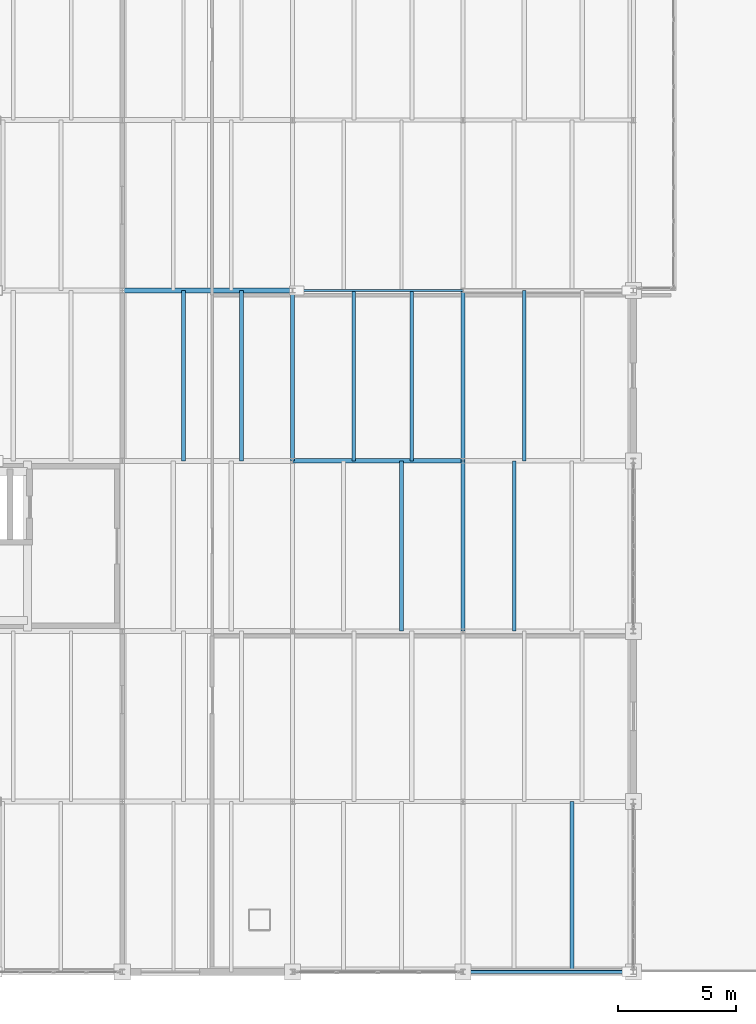
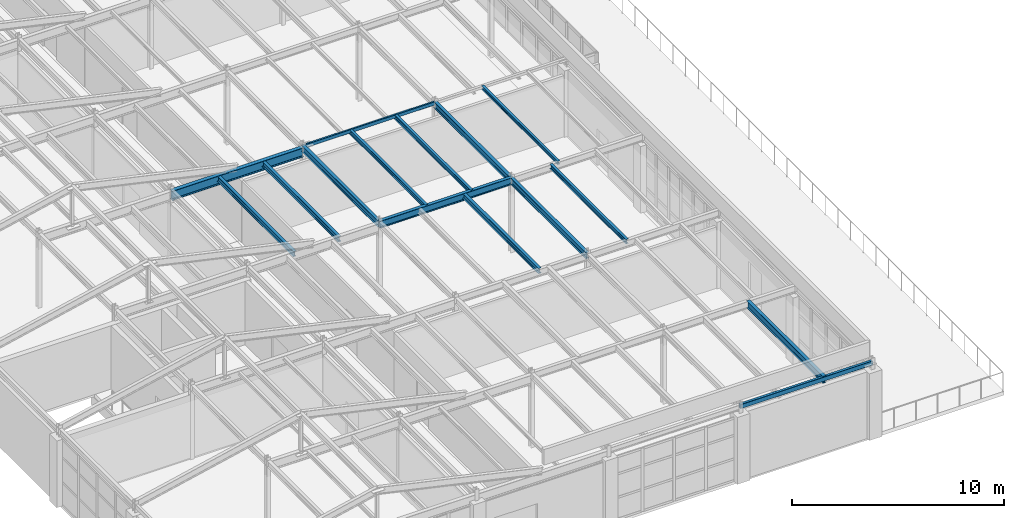
# One storey, part 19 of 43: 15 beams.
"""IFC4 building model written with IfcOpenShell, lengths in metres."""

import ifcopenshell
import ifcopenshell.guid

model = None  # the IFC model being written
_history = None  # IfcOwnerHistory: only IFC2X3 demands one
_inside = {}  # id of a spatial element -> (the spatial element, [elements in it])
_under = {}  # id of a project, library or spatial element -> (it, [spatial elements below it])
_declared = {}  # id of a project -> (the project, [libraries it declares])
_typed = {}  # id of a type object -> (the type object, [elements of that type])
_made_of = {}  # id of a material, layer set ... -> (it, [elements and type objects made of it])


def new_model(schema):
    """Start an empty IFC model of exactly this schema.

    Asked for "IFC4X3", IfcOpenShell would pick the latest addendum, in which some entities
    have other attributes; the version numbers below select the first issue.
    IFC2X3 requires an IfcOwnerHistory on every rooted entity: one is made here for all.
    """
    global model, _history
    if schema == "IFC4X3":
        model = ifcopenshell.file(schema_version=(4, 3, 0, 0))
    else:
        model = ifcopenshell.file(schema=schema)
    _inside.clear()
    _under.clear()
    _declared.clear()
    _typed.clear()
    _made_of.clear()
    _history = None
    if model.schema == "IFC2X3":
        org = make("IfcOrganization", Name="unknown")
        user = make(
            "IfcPersonAndOrganization",
            ThePerson=make("IfcPerson", FamilyName="unknown"),
            TheOrganization=org,
        )
        app = make(
            "IfcApplication",
            ApplicationDeveloper=org,
            Version="unknown",
            ApplicationFullName="unknown",
            ApplicationIdentifier="unknown",
        )
        _history = make(
            "IfcOwnerHistory",
            OwningUser=user,
            OwningApplication=app,
            ChangeAction="ADDED",
            CreationDate=0,
        )
    return model


def make(cls, **values):
    """One entity of the class cls with the attributes given. An attribute that is None is left unset."""
    return model.create_entity(
        cls, **{name: value for name, value in values.items() if value is not None}
    )


def rooted(cls, **values):
    """An entity with a GlobalId (a new one), such as an element, a storey or a relation."""
    return make(cls, GlobalId=ifcopenshell.guid.new(), OwnerHistory=_history, **values)


def si_unit(unit_type, name, prefix=None):
    """IfcSIUnit, for example si_unit("LENGTHUNIT", "METRE", prefix="MILLI")."""
    return make("IfcSIUnit", UnitType=unit_type, Prefix=prefix, Name=name)


def assignment(units):
    """IfcUnitAssignment: the units of a project."""
    return None if units is None else make("IfcUnitAssignment", Units=units)


def point(xyz):
    """IfcCartesianPoint."""
    return None if xyz is None else make("IfcCartesianPoint", Coordinates=xyz)


def direction(xyz):
    """IfcDirection."""
    return None if xyz is None else make("IfcDirection", DirectionRatios=xyz)


def frame(location, z_axis=None, x_axis=None):
    """IfcAxis2Placement3D, a coordinate frame: its origin and axes. An axis left out is left unset."""
    return make(
        "IfcAxis2Placement3D",
        Location=point(location),
        Axis=direction(z_axis),
        RefDirection=direction(x_axis),
    )


def frame_2d(location, x_axis=None):
    """IfcAxis2Placement2D, a coordinate frame in the plane: its origin and x axis."""
    return make(
        "IfcAxis2Placement2D", Location=point(location), RefDirection=direction(x_axis)
    )


def origin():
    """The frame at (0, 0, 0) with its axes left unset."""
    return frame((0.0, 0.0, 0.0))


def origin_2d():
    """The frame at (0, 0) in the plane with its x axis left unset."""
    return frame_2d((0.0, 0.0))


def place(relative_to, where):
    """IfcLocalPlacement: puts the frame where relative to a parent placement (None: the world)."""
    return make(
        "IfcLocalPlacement", PlacementRelTo=relative_to, RelativePlacement=where
    )


def context(
    kind, dimensions, precision=None, world=None, true_north=None, identifier=None
):
    """IfcGeometricRepresentationContext, for example the 3D "Model" context."""
    return make(
        "IfcGeometricRepresentationContext",
        ContextIdentifier=identifier,
        ContextType=kind,
        CoordinateSpaceDimension=dimensions,
        Precision=precision,
        WorldCoordinateSystem=world,
        TrueNorth=true_north,
    )


def subcontext(parent, identifier, kind, view, scale=None):
    """IfcGeometricRepresentationSubContext, for example "Body" below "Model"."""
    return make(
        "IfcGeometricRepresentationSubContext",
        ContextIdentifier=identifier,
        ContextType=kind,
        ParentContext=parent,
        TargetScale=scale,
        TargetView=view,
    )


def project(units=None, contexts=None):
    """IfcProject with its units and contexts."""
    return rooted(
        "IfcProject",
        Name="project",
        RepresentationContexts=contexts,
        UnitsInContext=assignment(units),
    )


def spatial(cls, under=None, at=None, **own):
    """A site, building, storey or space (cls), placed at a placement, below another one or the project."""
    s = rooted(cls, ObjectPlacement=at, **own)
    if under is not None:
        _under.setdefault(under.id(), (under, []))[1].append(s)
    return s


def profile(cls, at=None, kind="AREA", **sizes):
    """A parametric profile (cls). Its sizes go by their IFC names, for example OverallWidth=200.0."""
    return make(cls, ProfileType=kind, Position=at, **sizes)


def hollow_rectangle(**sizes):
    """IfcRectangleHollowProfileDef."""
    return profile("IfcRectangleHollowProfileDef", **sizes)


def i_section(**sizes):
    """IfcIShapeProfileDef."""
    return profile("IfcIShapeProfileDef", **sizes)


def extrude(swept, where, along, depth):
    """IfcExtrudedAreaSolid: the profile swept, set in the frame where, extruded along a direction by depth."""
    return make(
        "IfcExtrudedAreaSolid",
        SweptArea=swept,
        Position=where,
        ExtrudedDirection=direction(along),
        Depth=depth,
    )


def shape(context_of_items, identifier, shape_type, items):
    """IfcShapeRepresentation: the items that make up one representation, for example the "Body"."""
    return make(
        "IfcShapeRepresentation",
        ContextOfItems=context_of_items,
        RepresentationIdentifier=identifier,
        RepresentationType=shape_type,
        Items=items,
    )


def material(Name=None, Category=None):
    """IfcMaterial."""
    return make("IfcMaterial", Name=Name, Category=Category)


def material_profile(
    of_material, cross_section, Name=None, Category=None, Priority=None
):
    """IfcMaterialProfile: a cross section and its material."""
    return make(
        "IfcMaterialProfile",
        Name=Name,
        Material=of_material,
        Profile=cross_section,
        Priority=Priority,
        Category=Category,
    )


def profile_set(profiles, Name=None, composite=None):
    """IfcMaterialProfileSet."""
    return make(
        "IfcMaterialProfileSet",
        Name=Name,
        MaterialProfiles=profiles,
        CompositeProfile=composite,
    )


def made_of(thing, what):
    """Note that an element or type object is made of a material, layer set ...; save() writes the relation."""
    if what is not None:
        _made_of.setdefault(what.id(), (what, []))[1].append(thing)
    return thing


def type_object(cls, material=None, **own):
    """A type object (cls), such as IfcWallType, which elements share."""
    return made_of(rooted(cls, **own), material)


def element(
    cls,
    number,
    at=None,
    inside=None,
    cuts=None,
    type_object=None,
    material=None,
    context=None,
    identifier="Body",
    shape_type=None,
    held_by="IfcProductDefinitionShape",
    body=None,
    shapes=None,
    **own,
):
    """One element of the class cls, such as IfcWall. Its Tag is "e" and its number.

    at: its placement. inside: the storey or other place that contains it. cuts: it is an
    opening in that element (IfcRelVoidsElement). A single representation is given by context,
    identifier, shape_type and body (its items); several are given by shapes. held_by: the class
    of the entity that holds the representations. save() writes the other relations.
    """
    e = rooted(cls, Tag="e%d" % number, ObjectPlacement=at, **own)
    if body is not None:
        shapes = [shape(context, identifier, shape_type, body)]
    if shapes is not None:
        e.Representation = make(held_by, Representations=shapes)
    if inside is not None:
        _inside.setdefault(inside.id(), (inside, []))[1].append(e)
    if cuts is not None:
        rooted(
            "IfcRelVoidsElement", RelatingBuildingElement=cuts, RelatedOpeningElement=e
        )
    if type_object is not None:
        _typed.setdefault(type_object.id(), (type_object, []))[1].append(e)
    return made_of(e, material)


def aggregate(whole, parts):
    """IfcRelAggregates: a whole, such as a stair, and the parts it consists of."""
    return rooted("IfcRelAggregates", RelatingObject=whole, RelatedObjects=parts)


def save(model, path):
    """Write the relations noted so far, then the file.

    IfcRelAggregates (storeys below a building ...), IfcRelContainedInSpatialStructure (elements
    in a storey), IfcRelDefinesByType, IfcRelAssociatesMaterial and IfcRelDeclares: one each for
    every whole, place, type object, material and project.
    """
    for whole, parts in _under.values():
        aggregate(whole, parts)
    for where, things in _inside.values():
        rooted(
            "IfcRelContainedInSpatialStructure",
            RelatedElements=things,
            RelatingStructure=where,
        )
    for kind, things in _typed.values():
        rooted("IfcRelDefinesByType", RelatedObjects=things, RelatingType=kind)
    for what, things in _made_of.values():
        rooted("IfcRelAssociatesMaterial", RelatedObjects=things, RelatingMaterial=what)
    for by, libraries in _declared.values():
        rooted("IfcRelDeclares", RelatingContext=by, RelatedDefinitions=libraries)
    model.write(path)


model = new_model("IFC4")

# Units and contexts
model_context = context("Model", 3, precision=1e-05, world=origin(), true_north=direction((0.0, 1.0)))
body_context = subcontext(model_context, "Body", "Model", "MODEL_VIEW")
ifc_project = project(units=[si_unit("LENGTHUNIT", "METRE"), si_unit("AREAUNIT", "SQUARE_METRE"), si_unit("VOLUMEUNIT", "CUBIC_METRE"), si_unit("PLANEANGLEUNIT", "RADIAN"), si_unit("MASSUNIT", "GRAM", prefix="KILO")], contexts=[model_context])

# Site, building, storey
site_placement = place(None, origin())
site = spatial("IfcSite", under=ifc_project, at=site_placement, CompositionType="ELEMENT")
building_placement = place(site_placement, origin())
building = spatial("IfcBuilding", under=site, at=building_placement, Name="Kemerveld Promenade Tramway Depot", CompositionType="ELEMENT")
storey_placement = place(building_placement, frame((0.0, 0.0, 18.89990234375)))
storey = spatial("IfcBuildingStorey", under=building, at=storey_placement, Name="L04", CompositionType="ELEMENT", Elevation=18.89990234375)

# Beams
ifc_material = material(Name="Steel S355", Category="steel")
ifc_material_profile_1 = material_profile(ifc_material, i_section(OverallWidth=0.2099609375, OverallDepth=0.53662109375, WebThickness=0.0107421875, FlangeThickness=0.017333984375, FilletRadius=0.0126953125, at=origin_2d()), Name="533x210x101 UB")
ifc_profile_set_1 = profile_set([ifc_material_profile_1], Name="Steel S355")
beam_type_1 = type_object("IfcBeamType", Name="BM-G05", PredefinedType="BEAM", material=ifc_profile_set_1)
beam_1_placement = place(storey_placement, frame((14.39990234375, 28.800048828125, 3.94677734375), z_axis=(1.0, 0.0, 0.0), x_axis=(0.0, 1.0, 0.0)))
element("IfcBeam", 1, at=beam_1_placement, inside=storey, type_object=beam_type_1, Name="BMX-L04-03-04-E", PredefinedType="BEAM", context=body_context, shape_type="SweptSolid", body=[
    extrude(i_section(OverallWidth=0.2099609375, OverallDepth=0.53662109375, WebThickness=0.0107421875, FlangeThickness=0.017333984375, FilletRadius=0.0126953125, at=origin_2d()), origin(), (0.0, 0.0, 1.0), 7.2001953125),
])
ifc_material_profile_2 = material_profile(ifc_material, i_section(OverallWidth=0.1787109375, OverallDepth=0.409423828125, WebThickness=0.0087890625, FlangeThickness=0.014404296875, FilletRadius=0.01025390625, at=origin_2d()), Name="406x178x67 UB")
ifc_profile_set_2 = profile_set([ifc_material_profile_2], Name="Steel S355")
beam_type_2 = type_object("IfcBeamType", Name="BM-G07", PredefinedType="BEAM", material=ifc_profile_set_2)
beam_2_placement = place(storey_placement, frame((21.60009765625, 21.60009765625, 4.115478515625), z_axis=(1.0, 0.0, 0.0), x_axis=(0.0, 1.0, 0.0)))
element("IfcBeam", 2, at=beam_2_placement, inside=storey, type_object=beam_type_2, Name="BMX-L04-04-05-D", PredefinedType="BEAM", context=body_context, shape_type="SweptSolid", body=[
    extrude(i_section(OverallWidth=0.1787109375, OverallDepth=0.409423828125, WebThickness=0.0087890625, FlangeThickness=0.014404296875, FilletRadius=0.01025390625, at=origin_2d()), origin(), (0.0, 0.0, 1.0), 7.199951171875),
])
ifc_material_profile_3 = material_profile(ifc_material, i_section(OverallWidth=0.172119140625, OverallDepth=0.35791015625, WebThickness=0.008056640625, FlangeThickness=0.012939453125, FilletRadius=0.01025390625, at=origin_2d()), Name="356x171x57 UB")
ifc_profile_set_3 = profile_set([ifc_material_profile_3], Name="Steel S355")
beam_type_3 = type_object("IfcBeamType", Name="BM-G08", PredefinedType="BEAM", material=ifc_profile_set_3)
beam_3_placement = place(storey_placement, frame((21.60009765625, 21.60009765625, 4.14111328125), z_axis=(0.0, 1.0, 0.0), x_axis=(-1.0, 0.0, 0.0)))
element("IfcBeam", 3, at=beam_3_placement, inside=storey, type_object=beam_type_3, Name="BMY-L04-04-D-E", PredefinedType="BEAM", context=body_context, shape_type="SweptSolid", body=[
    extrude(i_section(OverallWidth=0.172119140625, OverallDepth=0.35791015625, WebThickness=0.008056640625, FlangeThickness=0.012939453125, FilletRadius=0.01025390625, at=origin_2d()), origin(), (0.0, 0.0, 1.0), 7.199951171875),
])
beam_4_placement = place(storey_placement, frame((28.800048828125, 14.39990234375, 4.14111328125), z_axis=(0.0, 1.0, 0.0), x_axis=(-1.0, 0.0, 0.0)))
element("IfcBeam", 4, at=beam_4_placement, inside=storey, type_object=beam_type_3, Name="BMY-L04-05-C-D", PredefinedType="BEAM", context=body_context, shape_type="SweptSolid", body=[
    extrude(i_section(OverallWidth=0.172119140625, OverallDepth=0.35791015625, WebThickness=0.008056640625, FlangeThickness=0.012939453125, FilletRadius=0.01025390625, at=origin_2d()), origin(), (0.0, 0.0, 1.0), 7.2001953125),
])
beam_5_placement = place(storey_placement, frame((28.800048828125, 21.60009765625, 4.14111328125), z_axis=(0.0, 1.0, 0.0), x_axis=(-1.0, 0.0, 0.0)))
element("IfcBeam", 5, at=beam_5_placement, inside=storey, type_object=beam_type_3, Name="BMY-L04-05-D-E", PredefinedType="BEAM", context=body_context, shape_type="SweptSolid", body=[
    extrude(i_section(OverallWidth=0.172119140625, OverallDepth=0.35791015625, WebThickness=0.008056640625, FlangeThickness=0.012939453125, FilletRadius=0.01025390625, at=origin_2d()), origin(), (0.0, 0.0, 1.0), 7.199951171875),
])
ifc_material_profile_4 = material_profile(ifc_material, hollow_rectangle(XDim=0.14990234375, YDim=0.25, WallThickness=0.010009765625, InnerFilletRadius=0.0048828125, OuterFilletRadius=0.014892578125, at=origin_2d()), Name="250x150x10.0 RHS")
ifc_profile_set_4 = profile_set([ifc_material_profile_4], Name="Steel S355")
beam_type_4 = type_object("IfcBeamType", Name="BM-G17", PredefinedType="BEAM", material=ifc_profile_set_4)
beam_6_placement = place(storey_placement, frame((28.800048828125, 0.0, 4.195068359375), z_axis=(1.0, 0.0, 0.0), x_axis=(0.0, 1.0, 0.0)))
element("IfcBeam", 6, at=beam_6_placement, inside=storey, type_object=beam_type_4, Name="BMX-L04-05-06-A", PredefinedType="BEAM", context=body_context, shape_type="SweptSolid", body=[
    extrude(hollow_rectangle(XDim=0.14990234375, YDim=0.25, WallThickness=0.010009765625, InnerFilletRadius=0.0048828125, OuterFilletRadius=0.014892578125, at=origin_2d()), origin(), (0.0, 0.0, 1.0), 7.199951171875),
])
ifc_material_profile_5 = material_profile(ifc_material, i_section(OverallWidth=0.165771484375, OverallDepth=0.306640625, WebThickness=0.006591796875, FlangeThickness=0.01171875, FilletRadius=0.0087890625, at=origin_2d()), Name="305x165x46 UB")
ifc_profile_set_5 = profile_set([ifc_material_profile_5], Name="Steel S355")
beam_type_5 = type_object("IfcBeamType", Name="BM-J01", PredefinedType="JOIST", material=ifc_profile_set_5)
for number, where, z_axis, x_axis, name in (
    (7, (16.991943359375, 21.60009765625, 4.001708984375), (0.0, 1.0, 0.0), (-1.0, 0.0, 0.0), "JST-L04-03-D-1"),
    (8, (19.43994140625, 21.60009765625, 4.001708984375), (0.0, 1.0, 0.0), (-1.0, 0.0, 0.0), "JST-L04-03-D-2"),
):
    element("IfcBeam", number, at=place(storey_placement, frame(where, z_axis=z_axis, x_axis=x_axis)), inside=storey, type_object=beam_type_5, Name=name, PredefinedType="JOIST", context=body_context, shape_type="SweptSolid", body=[
        extrude(i_section(OverallWidth=0.165771484375, OverallDepth=0.306640625, WebThickness=0.006591796875, FlangeThickness=0.01171875, FilletRadius=0.0087890625, at=origin_2d()), origin(), (0.0, 0.0, 1.0), 7.199951171875),
    ])
beam_7_placement = place(storey_placement, frame((26.2080078125, 14.39990234375, 4.166748046875), z_axis=(0.0, 1.0, 0.0), x_axis=(-1.0, 0.0, 0.0)))
element("IfcBeam", 9, at=beam_7_placement, inside=storey, type_object=beam_type_5, Name="JST-L04-04-C-2", PredefinedType="JOIST", context=body_context, shape_type="SweptSolid", body=[
    extrude(i_section(OverallWidth=0.165771484375, OverallDepth=0.306640625, WebThickness=0.006591796875, FlangeThickness=0.01171875, FilletRadius=0.0087890625, at=origin_2d()), origin(), (0.0, 0.0, 1.0), 7.2001953125),
])
ifc_material_profile_6 = material_profile(ifc_material, i_section(OverallWidth=0.146484375, OverallDepth=0.256103515625, WebThickness=0.00634765625, FlangeThickness=0.010986328125, FilletRadius=0.007568359375, at=origin_2d()), Name="254x146x37 UB")
ifc_profile_set_6 = profile_set([ifc_material_profile_6], Name="Steel S355")
beam_type_6 = type_object("IfcBeamType", Name="BM-J02", PredefinedType="JOIST", material=ifc_profile_set_6)
for number, where, z_axis, x_axis, name in (
    (10, (24.19189453125, 21.60009765625, 4.192138671875), (0.0, 1.0, 0.0), (-1.0, 0.0, 0.0), "JST-L04-04-D-1"),
    (11, (26.639892578125, 21.60009765625, 4.192138671875), (0.0, 1.0, 0.0), (-1.0, 0.0, 0.0), "JST-L04-04-D-2"),
):
    element("IfcBeam", number, at=place(storey_placement, frame(where, z_axis=z_axis, x_axis=x_axis)), inside=storey, type_object=beam_type_6, Name=name, PredefinedType="JOIST", context=body_context, shape_type="SweptSolid", body=[
        extrude(i_section(OverallWidth=0.146484375, OverallDepth=0.256103515625, WebThickness=0.00634765625, FlangeThickness=0.010986328125, FilletRadius=0.007568359375, at=origin_2d()), origin(), (0.0, 0.0, 1.0), 7.199951171875),
    ])
beam_8_placement = place(storey_placement, frame((30.9599609375, 14.39990234375, 4.192138671875), z_axis=(0.0, 1.0, 0.0), x_axis=(-1.0, 0.0, 0.0)))
element("IfcBeam", 12, at=beam_8_placement, inside=storey, type_object=beam_type_6, Name="JST-L04-05-C-1", PredefinedType="JOIST", context=body_context, shape_type="SweptSolid", body=[
    extrude(i_section(OverallWidth=0.146484375, OverallDepth=0.256103515625, WebThickness=0.00634765625, FlangeThickness=0.010986328125, FilletRadius=0.007568359375, at=origin_2d()), origin(), (0.0, 0.0, 1.0), 7.2001953125),
])
ifc_material_profile_7 = material_profile(ifc_material, i_section(OverallWidth=0.13330078125, OverallDepth=0.203125, WebThickness=0.005615234375, FlangeThickness=0.0078125, FilletRadius=0.007568359375, at=origin_2d()), Name="203x133x25 UB")
ifc_profile_set_7 = profile_set([ifc_material_profile_7], Name="Steel S355")
beam_type_7 = type_object("IfcBeamType", Name="BM-J03", PredefinedType="JOIST", material=ifc_profile_set_7)
beam_9_placement = place(storey_placement, frame((31.39208984375, 21.60009765625, 4.218505859375), z_axis=(0.0, 1.0, 0.0), x_axis=(-1.0, 0.0, 0.0)))
element("IfcBeam", 13, at=beam_9_placement, inside=storey, type_object=beam_type_7, Name="JST-L04-05-D-1", PredefinedType="JOIST", context=body_context, shape_type="SweptSolid", body=[
    extrude(i_section(OverallWidth=0.13330078125, OverallDepth=0.203125, WebThickness=0.005615234375, FlangeThickness=0.0078125, FilletRadius=0.007568359375, at=origin_2d()), origin(), (0.0, 0.0, 1.0), 7.199951171875),
])
ifc_material_profile_8 = material_profile(ifc_material, i_section(OverallWidth=0.1787109375, OverallDepth=0.409423828125, WebThickness=0.0087890625, FlangeThickness=0.014404296875, FilletRadius=0.01025390625, at=origin_2d()), Name="406x178x67 UB")
ifc_profile_set_8 = profile_set([ifc_material_profile_8], Name="Steel S355")
beam_type_8 = type_object("IfcBeamType", Name="BM-J05", PredefinedType="JOIST", material=ifc_profile_set_8)
beam_10_placement = place(storey_placement, frame((33.407958984375, 0.0, 4.115478515625), z_axis=(0.0, 1.0, 0.0), x_axis=(-1.0, 0.0, 0.0)))
element("IfcBeam", 14, at=beam_10_placement, inside=storey, type_object=beam_type_8, Name="JST-L04-05-A-2", PredefinedType="JOIST", context=body_context, shape_type="SweptSolid", body=[
    extrude(i_section(OverallWidth=0.1787109375, OverallDepth=0.409423828125, WebThickness=0.0087890625, FlangeThickness=0.014404296875, FilletRadius=0.01025390625, at=origin_2d()), origin(), (0.0, 0.0, 1.0), 7.199951171875),
])
ifc_material_profile_9 = material_profile(ifc_material, hollow_rectangle(XDim=0.10009765625, YDim=0.199951171875, WallThickness=0.008056640625, InnerFilletRadius=0.00390625, OuterFilletRadius=0.011962890625, at=origin_2d()), Name="200x100x8.0 RHS")
ifc_profile_set_9 = profile_set([ifc_material_profile_9], Name="Steel S355")
beam_type_9 = type_object("IfcBeamType", Name="BM-SP3", PredefinedType="SPANDREL", material=ifc_profile_set_9)
beam_11_placement = place(storey_placement, frame((21.60009765625, 28.800048828125, 4.22021484375), z_axis=(1.0, 0.0, 0.0), x_axis=(0.0, 1.0, 0.0)))
element("IfcBeam", 15, at=beam_11_placement, inside=storey, type_object=beam_type_9, Name="BMX-L04-04-05-E", PredefinedType="SPANDREL", context=body_context, shape_type="SweptSolid", body=[
    extrude(hollow_rectangle(XDim=0.10009765625, YDim=0.199951171875, WallThickness=0.008056640625, InnerFilletRadius=0.00390625, OuterFilletRadius=0.011962890625, at=origin_2d()), origin(), (0.0, 0.0, 1.0), 7.199951171875),
])

save(model, "model.ifc")
